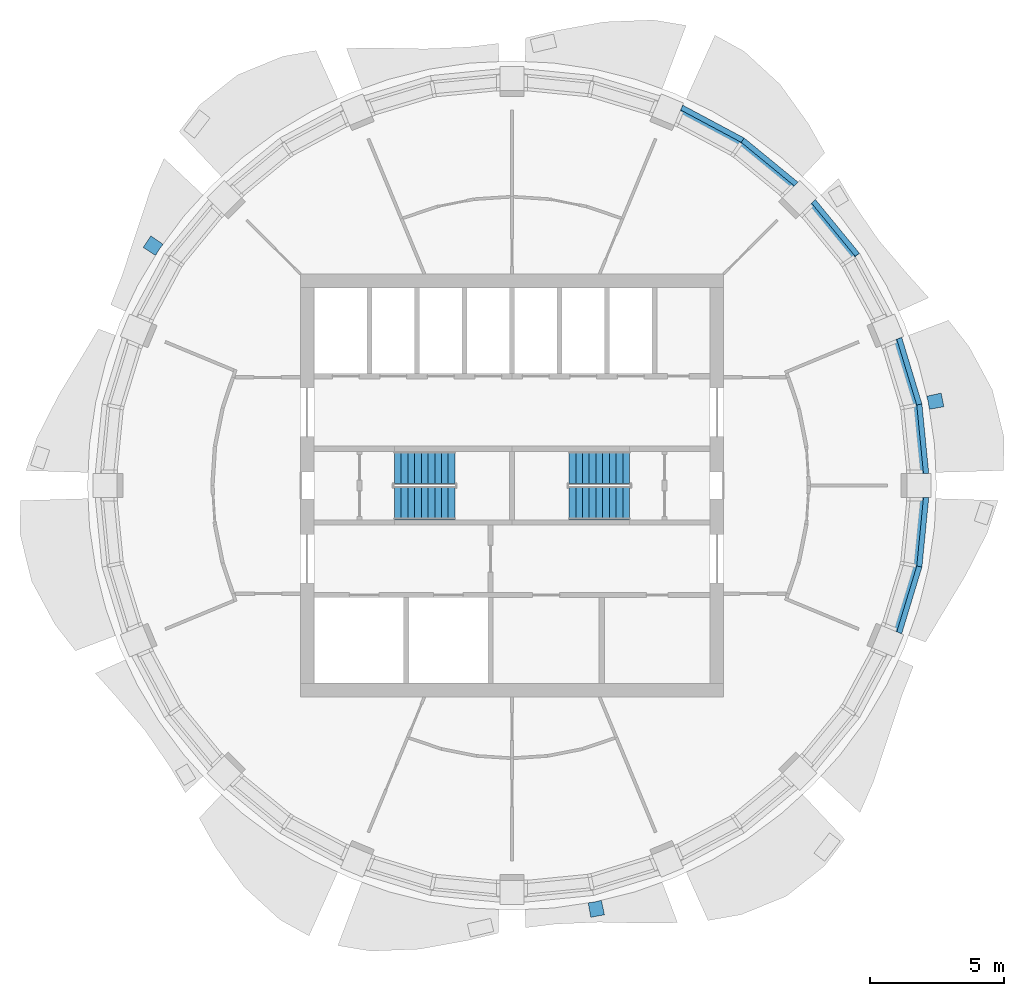
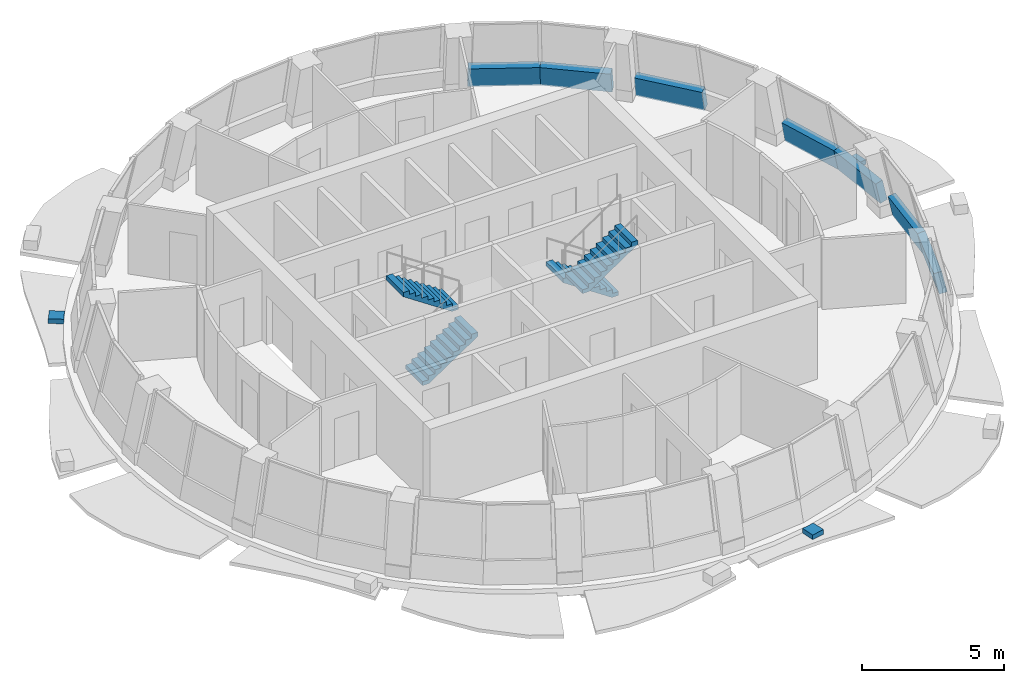
# One storey, part 7 of 11: 7 walls, 4 stair flights, 3 discrete accessories, 2 elements without a shape of their own.
"""IFC4 building model written with IfcOpenShell, lengths in metres."""

from ifc_helpers import new_model, si_unit, direction, frame, origin, place, context, subcontext, project, spatial, polyline, outline, extrude, material, layer, layer_set, type_object, element, aggregate, save


model = new_model("IFC4")

# Units and contexts
model_context = context("Model", 3, precision=1e-05, world=origin(), true_north=direction((0.0, 1.0)))
body_context = subcontext(model_context, "Body", "Model", "MODEL_VIEW")
ifc_project = project(units=[si_unit("LENGTHUNIT", "METRE"), si_unit("AREAUNIT", "SQUARE_METRE"), si_unit("VOLUMEUNIT", "CUBIC_METRE"), si_unit("PLANEANGLEUNIT", "RADIAN"), si_unit("MASSUNIT", "GRAM", prefix="KILO")], contexts=[model_context])

# Site, building, storey
site_placement = place(None, origin())
site = spatial("IfcSite", under=ifc_project, at=site_placement, CompositionType="ELEMENT")
building_placement = place(site_placement, origin())
building = spatial("IfcBuilding", under=site, at=building_placement, Name="Polderwave Tower", CompositionType="ELEMENT")
storey_placement = place(building_placement, frame((0.0, 0.0, 224.5)))
storey = spatial("IfcBuildingStorey", under=building, at=storey_placement, Name="L61", CompositionType="ELEMENT", Elevation=224.5)

# Walls
ifc_material_1 = material(Name="Concrete C50/60 (board-marked)", Category="concrete")
ifc_layer = layer(ifc_material_1, 0.300048828125)
ifc_layer_set = layer_set([ifc_layer], Name="Concrete spandrel upstand C50/60")
wall_type = type_object("IfcWallType", Name="Concrete spandrel upstand C50/60", PredefinedType="SOLIDWALL", material=ifc_layer_set)
wall_1_placement = place(storey_placement, frame((15.510986328125, 0.452880859375, 0.0), z_axis=(0.972479253088, 0.09566812718, 0.212442255106), x_axis=(-0.097901959696, 0.995196064235, -4.325887e-06)))
element("IfcWall", 1, at=wall_1_placement, inside=storey, type_object=wall_type, Name="Spandrel L61 1a", PredefinedType="SOLIDWALL", context=body_context, shape_type="SweptSolid", body=[
    extrude(outline(polyline([(0.0, 0.0), (2.5939993216077757, 0.0), (2.5747319438866563, 0.9209350939918937), (0.01923709285513683, 0.9209122974994806), (0.0, 0.0)])), origin(), (0.0, 0.0, -1.0), 0.300048828125),
])
wall_2_placement = place(storey_placement, frame((15.257080078125, 3.034423828125, 0.0), z_axis=(0.935039256379, 0.283799928831, 0.212506916186), x_axis=(-0.290433296708, 0.95689523991, -1.257384e-06)))
element("IfcWall", 2, at=wall_2_placement, inside=storey, type_object=wall_type, Name="Spandrel L61 1b", PredefinedType="SOLIDWALL", context=body_context, shape_type="SweptSolid", body=[
    extrude(outline(polyline([(0.0, 0.0), (2.595007097670562, 2.7755575615628914e-17), (2.5755727980861547, 0.9209402607057845), (0.019337186771753657, 0.9209336322190266), (0.0, 0.0)])), origin(), (0.0, 0.0, -1.0), 0.300048828125),
])
wall_3_placement = place(storey_placement, frame((12.93408203125, 8.642578125, 0.0), z_axis=(0.755344730477, 0.619832994913, 0.212747259813), x_axis=(-0.634353703321, 0.77304293478, -8.415613e-06)))
element("IfcWall", 3, at=wall_3_placement, inside=storey, type_object=wall_type, Name="Spandrel L61 2b", PredefinedType="SOLIDWALL", context=body_context, shape_type="SweptSolid", body=[
    extrude(outline(polyline([(0.0, 0.0), (2.5937283276421317, 0.0), (2.574575610802007, 0.9210084137902412), (0.01920476721061935, 0.9209640657165162), (0.0, 0.0)])), origin(), (0.0, 0.0, -1.0), 0.300048828125),
])
wall_4_placement = place(storey_placement, frame((10.647705078125, 11.288818359375, 0.0), z_axis=(0.61984836301, 0.755409788391, 0.212471312127), x_axis=(-0.77306114922, 0.634331506046, 2.160758e-06)))
element("IfcWall", 4, at=wall_4_placement, inside=storey, type_object=wall_type, Name="Spandrel L61 3a", PredefinedType="SOLIDWALL", context=body_context, shape_type="SweptSolid", body=[
    extrude(outline(polyline([(0.0, 0.0), (2.593728329537269, 5.551115123125783e-17), (2.5746784227651998, 0.9209239565177328), (0.019118847660090966, 0.9209353428660346), (0.0, 0.0)])), origin(), (0.0, 0.0, -1.0), 0.300048828125),
])
wall_5_placement = place(storey_placement, frame((8.642578125, 12.93408203125, 0.0), z_axis=(0.460573251826, 0.861774466564, 0.212643007131), x_axis=(-0.881944420769, 0.471353411649, -1.528775e-06)))
element("IfcWall", 5, at=wall_5_placement, inside=storey, type_object=wall_type, Name="Spandrel L61 3b", PredefinedType="SOLIDWALL", context=body_context, shape_type="SweptSolid", body=[
    extrude(outline(polyline([(0.0, 0.0), (2.59492861148547, 0.0), (2.575513317260219, 0.9209688796464724), (0.0193600292076719, 0.9209608204871957), (0.0, 0.0)])), origin(), (0.0, 0.0, -1.0), 0.300048828125),
])
wall_6_placement = place(storey_placement, frame((14.50341796875, -5.517578125, 0.0), z_axis=(0.935089635807, -0.283815219823, 0.212264679123), x_axis=(0.290433297305, 0.956895239729, 1.256018e-06)))
element("IfcWall", 6, at=wall_6_placement, inside=storey, type_object=wall_type, Name="Spandrel L61 16a", PredefinedType="SOLIDWALL", context=body_context, shape_type="SweptSolid", body=[
    extrude(outline(polyline([(0.0, 0.0), (2.5950070976705564, 0.0), (2.575740816114674, 0.9208840189759286), (0.0195052048002585, 0.9208906399068612), (0.0, 0.0)])), origin(), (0.0, 0.0, -1.0), 0.300048828125),
])
wall_7_placement = place(storey_placement, frame((15.257080078125, -3.034423828125, 0.0), z_axis=(0.972456505396, -0.095619562057, 0.212568211321), x_axis=(0.097857123826, 0.995200473918, -5.472073e-06)))
element("IfcWall", 7, at=wall_7_placement, inside=storey, type_object=wall_type, Name="Spandrel L61 16b", PredefinedType="SOLIDWALL", context=body_context, shape_type="SweptSolid", body=[
    extrude(outline(polyline([(0.0, 0.0), (2.5939993212860575, 0.0), (2.574738332060873, 0.920963930420198), (0.019267377080073818, 0.920935093099123), (0.0, 0.0)])), origin(), (0.0, 0.0, -1.0), 0.300048828125),
])

# Stair, stair flights
ifc_material_2 = material(Name="Concrete C40/50", Category="concrete")
stair_type = type_object("IfcStairType", Name="Exit stair 1200 x 20 risers", PredefinedType="HALF_TURN_STAIR", material=ifc_material_2)
stair_1_placement = place(storey_placement, origin())
stair_1 = element("IfcStair", 8, at=stair_1_placement, inside=storey, type_object=stair_type, Name="L61 Exit stair A", PredefinedType="HALF_TURN_STAIR")
stair_flight_type = type_object("IfcStairFlightType", Name="Stair flight 1200", PredefinedType="STRAIGHT", material=ifc_material_2)
stair_flight_1_placement = place(storey_placement, frame((-4.3740234375, -0.675048828125, 0.0), z_axis=(0.0, 0.0, 1.0), x_axis=(1.0, 0.0, 0.0)))
stair_flight_1 = element("IfcStairFlight", 9, at=stair_flight_1_placement, type_object=stair_flight_type, Name="ST-A flight 1", NumberOfRisers=10, NumberOfTreads=9, PredefinedType="STRAIGHT", RiserHeight=0.1675, TreadLength=0.25, context=body_context, shape_type="SweptSolid", body=[
    extrude(outline(polyline([(0.0, 0.0), (0.0, 0.16748046875), (0.25, 0.16748046875), (0.25, 0.3349609375), (0.5, 0.3349609375), (0.5, 0.50244140625), (0.75, 0.50244140625), (0.75, 0.669921875), (1.0, 0.669921875), (1.0, 0.83740234375), (1.25, 0.83740234375), (1.25, 1.0048828125), (1.5, 1.0048828125), (1.5, 1.172607421875), (1.75, 1.172607421875), (1.75, 1.340087890625), (2.0, 1.340087890625), (2.0, 1.507568359375), (2.25, 1.507568359375), (2.25, 1.675048828125), (2.25, 1.3271484375), (0.269287109375, 0.0), (0.0, 0.0)])), frame((0.0, 0.60009765625, 0.0), z_axis=(0.0, -1.0, 0.0), x_axis=(1.0, 0.0, 0.0)), (0.0, 0.0, 1.0), 1.199951171875),
])
stair_flight_2_placement = place(storey_placement, frame((-2.1240234375, 0.675048828125, 1.675048828125), z_axis=(0.0, 0.0, 1.0), x_axis=(-1.0, 0.0, 0.0)))
stair_flight_2 = element("IfcStairFlight", 10, at=stair_flight_2_placement, type_object=stair_flight_type, Name="ST-A flight 2", NumberOfRisers=10, NumberOfTreads=9, PredefinedType="STRAIGHT", RiserHeight=0.1675, TreadLength=0.25, context=body_context, shape_type="SweptSolid", body=[
    extrude(outline(polyline([(0.0, 0.0), (0.0, 0.16748046875), (0.25, 0.16748046875), (0.25, 0.3349609375), (0.5, 0.3349609375), (0.5, 0.50244140625), (0.75, 0.50244140625), (0.75, 0.669921875), (1.0, 0.669921875), (1.0, 0.83740234375), (1.25, 0.83740234375), (1.25, 1.0048828125), (1.5, 1.0048828125), (1.5, 1.172607421875), (1.75, 1.172607421875), (1.75, 1.340087890625), (2.0, 1.340087890625), (2.0, 1.507568359375), (2.25, 1.507568359375), (2.25, 1.675048828125), (2.25, 1.3271484375), (0.269287109375, 0.0), (0.0, 0.0)])), frame((0.0, 0.60009765625, 0.0), z_axis=(0.0, -1.0, 0.0), x_axis=(1.0, 0.0, 0.0)), (0.0, 0.0, 1.0), 1.199951171875),
])
aggregate(stair_1, [stair_flight_1, stair_flight_2])

stair_2_placement = place(storey_placement, origin())
stair_2 = element("IfcStair", 11, at=stair_2_placement, inside=storey, type_object=stair_type, Name="L61 Exit stair B", PredefinedType="HALF_TURN_STAIR")
stair_flight_3_placement = place(storey_placement, frame((4.3740234375, 0.675048828125, 0.0), z_axis=(0.0, 0.0, 1.0), x_axis=(-1.0, 0.0, 0.0)))
stair_flight_3 = element("IfcStairFlight", 12, at=stair_flight_3_placement, type_object=stair_flight_type, Name="ST-B flight 1", NumberOfRisers=10, NumberOfTreads=9, PredefinedType="STRAIGHT", RiserHeight=0.1675, TreadLength=0.25, context=body_context, shape_type="SweptSolid", body=[
    extrude(outline(polyline([(0.0, 0.0), (0.0, 0.16748046875), (0.25, 0.16748046875), (0.25, 0.3349609375), (0.5, 0.3349609375), (0.5, 0.50244140625), (0.75, 0.50244140625), (0.75, 0.669921875), (1.0, 0.669921875), (1.0, 0.83740234375), (1.25, 0.83740234375), (1.25, 1.0048828125), (1.5, 1.0048828125), (1.5, 1.172607421875), (1.75, 1.172607421875), (1.75, 1.340087890625), (2.0, 1.340087890625), (2.0, 1.507568359375), (2.25, 1.507568359375), (2.25, 1.675048828125), (2.25, 1.3271484375), (0.269287109375, 0.0), (0.0, 0.0)])), frame((0.0, 0.60009765625, 0.0), z_axis=(0.0, -1.0, 0.0), x_axis=(1.0, 0.0, 0.0)), (0.0, 0.0, 1.0), 1.199951171875),
])
stair_flight_4_placement = place(storey_placement, frame((2.1240234375, -0.675048828125, 1.675048828125), z_axis=(0.0, 0.0, 1.0), x_axis=(1.0, 0.0, 0.0)))
stair_flight_4 = element("IfcStairFlight", 13, at=stair_flight_4_placement, type_object=stair_flight_type, Name="ST-B flight 2", NumberOfRisers=10, NumberOfTreads=9, PredefinedType="STRAIGHT", RiserHeight=0.1675, TreadLength=0.25, context=body_context, shape_type="SweptSolid", body=[
    extrude(outline(polyline([(0.0, 0.0), (0.0, 0.16748046875), (0.25, 0.16748046875), (0.25, 0.3349609375), (0.5, 0.3349609375), (0.5, 0.50244140625), (0.75, 0.50244140625), (0.75, 0.669921875), (1.0, 0.669921875), (1.0, 0.83740234375), (1.25, 0.83740234375), (1.25, 1.0048828125), (1.5, 1.0048828125), (1.5, 1.172607421875), (1.75, 1.172607421875), (1.75, 1.340087890625), (2.0, 1.340087890625), (2.0, 1.507568359375), (2.25, 1.507568359375), (2.25, 1.675048828125), (2.25, 1.3271484375), (0.269287109375, 0.0), (0.0, 0.0)])), frame((0.0, 0.60009765625, 0.0), z_axis=(0.0, -1.0, 0.0), x_axis=(1.0, 0.0, 0.0)), (0.0, 0.0, 1.0), 1.199951171875),
])
aggregate(stair_2, [stair_flight_3, stair_flight_4])

# Discrete accessories
ifc_material_3 = material(Name="Steel S355", Category="steel")
discrete_accessory_type = type_object("IfcDiscreteAccessoryType", Name="Band bracket pad", PredefinedType="BRACKET", material=ifc_material_3)
discrete_accessory_1_placement = place(storey_placement, frame((0.0, 0.0, -0.199951171875)))
element("IfcDiscreteAccessory", 14, at=discrete_accessory_1_placement, inside=storey, type_object=discrete_accessory_type, Name="Band bracket L61 1", PredefinedType="BRACKET", context=body_context, shape_type="SweptSolid", body=[
    extrude(outline(polyline([(15.533203125, 2.835205078125), (15.496337890625, 3.08251953125), (15.435791015625, 3.324951171875), (15.973388671875, 3.44091796875), (16.07421875, 2.933837890625), (15.533203125, 2.835205078125)])), origin(), (0.0, 0.0, 1.0), 0.199951171875),
])
discrete_accessory_2_placement = place(storey_placement, frame((0.0, 0.0, -0.199951171875)))
element("IfcDiscreteAccessory", 15, at=discrete_accessory_2_placement, inside=storey, type_object=discrete_accessory_type, Name="Band bracket L61 7", PredefinedType="BRACKET", context=body_context, shape_type="SweptSolid", body=[
    extrude(outline(polyline([(-12.98828125, 8.978759765625), (-13.13720703125, 8.778076171875), (-13.265625, 8.563720703125), (-13.727783203125, 8.86181640625), (-13.440673828125, 9.29150390625), (-12.98828125, 8.978759765625)])), origin(), (0.0, 0.0, 1.0), 0.199951171875),
])
discrete_accessory_3_placement = place(storey_placement, frame((0.0, 0.0, -0.199951171875)))
element("IfcDiscreteAccessory", 16, at=discrete_accessory_3_placement, inside=storey, type_object=discrete_accessory_type, Name="Band bracket L61 13", PredefinedType="BRACKET", context=body_context, shape_type="SweptSolid", body=[
    extrude(outline(polyline([(2.835205078125, -15.533203125), (3.08251953125, -15.496337890625), (3.324951171875, -15.435791015625), (3.44091796875, -15.973388671875), (2.933837890625, -16.07421875), (2.835205078125, -15.533203125)])), origin(), (0.0, 0.0, 1.0), 0.199951171875),
])

save(model, "model.ifc")
